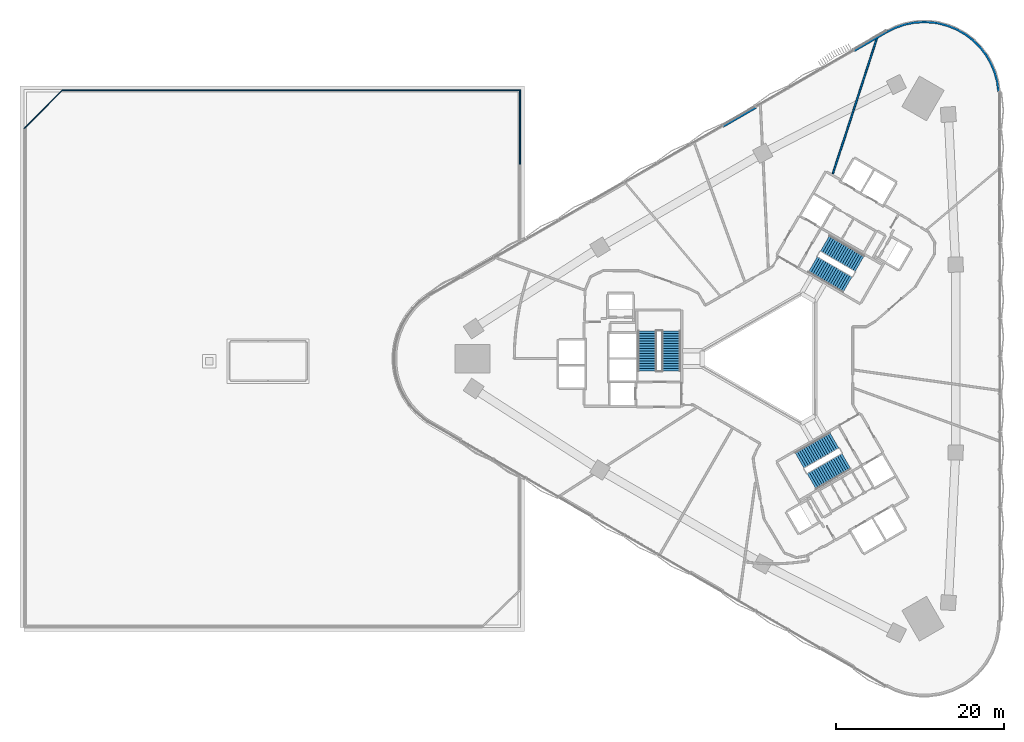
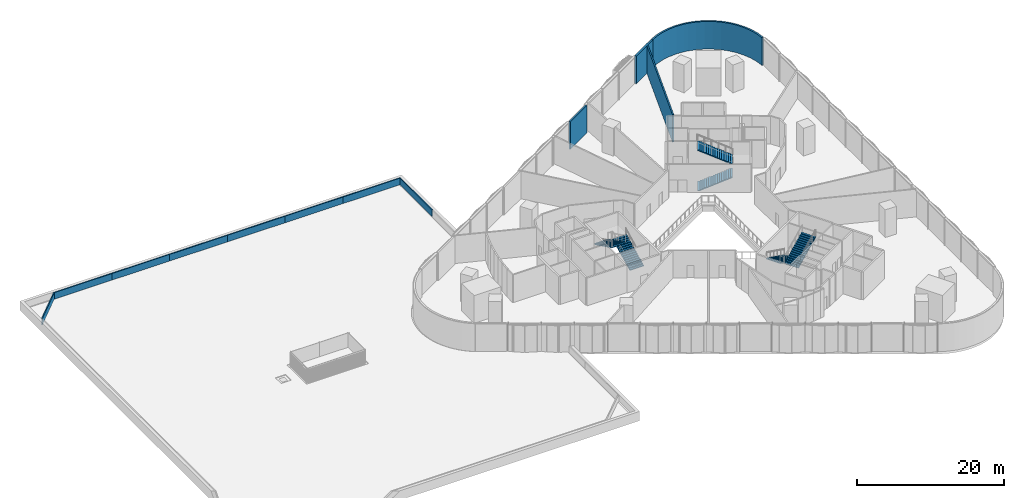
# One storey, part 11 of 14: 12 walls, 6 stair flights, 3 elements without a shape of their own.
"""IFC4 building model written with IfcOpenShell, lengths in metres."""

import ifcopenshell
import ifcopenshell.guid

model = None  # the IFC model being written
_history = None  # IfcOwnerHistory: only IFC2X3 demands one
_inside = {}  # id of a spatial element -> (the spatial element, [elements in it])
_under = {}  # id of a project, library or spatial element -> (it, [spatial elements below it])
_declared = {}  # id of a project -> (the project, [libraries it declares])
_typed = {}  # id of a type object -> (the type object, [elements of that type])
_made_of = {}  # id of a material, layer set ... -> (it, [elements and type objects made of it])


def new_model(schema):
    """Start an empty IFC model of exactly this schema.

    Asked for "IFC4X3", IfcOpenShell would pick the latest addendum, in which some entities
    have other attributes; the version numbers below select the first issue.
    IFC2X3 requires an IfcOwnerHistory on every rooted entity: one is made here for all.
    """
    global model, _history
    if schema == "IFC4X3":
        model = ifcopenshell.file(schema_version=(4, 3, 0, 0))
    else:
        model = ifcopenshell.file(schema=schema)
    _inside.clear()
    _under.clear()
    _declared.clear()
    _typed.clear()
    _made_of.clear()
    _history = None
    if model.schema == "IFC2X3":
        org = make("IfcOrganization", Name="unknown")
        user = make(
            "IfcPersonAndOrganization",
            ThePerson=make("IfcPerson", FamilyName="unknown"),
            TheOrganization=org,
        )
        app = make(
            "IfcApplication",
            ApplicationDeveloper=org,
            Version="unknown",
            ApplicationFullName="unknown",
            ApplicationIdentifier="unknown",
        )
        _history = make(
            "IfcOwnerHistory",
            OwningUser=user,
            OwningApplication=app,
            ChangeAction="ADDED",
            CreationDate=0,
        )
    return model


def make(cls, **values):
    """One entity of the class cls with the attributes given. An attribute that is None is left unset."""
    return model.create_entity(
        cls, **{name: value for name, value in values.items() if value is not None}
    )


def rooted(cls, **values):
    """An entity with a GlobalId (a new one), such as an element, a storey or a relation."""
    return make(cls, GlobalId=ifcopenshell.guid.new(), OwnerHistory=_history, **values)


def si_unit(unit_type, name, prefix=None):
    """IfcSIUnit, for example si_unit("LENGTHUNIT", "METRE", prefix="MILLI")."""
    return make("IfcSIUnit", UnitType=unit_type, Prefix=prefix, Name=name)


def assignment(units):
    """IfcUnitAssignment: the units of a project."""
    return None if units is None else make("IfcUnitAssignment", Units=units)


def point(xyz):
    """IfcCartesianPoint."""
    return None if xyz is None else make("IfcCartesianPoint", Coordinates=xyz)


def direction(xyz):
    """IfcDirection."""
    return None if xyz is None else make("IfcDirection", DirectionRatios=xyz)


def frame(location, z_axis=None, x_axis=None):
    """IfcAxis2Placement3D, a coordinate frame: its origin and axes. An axis left out is left unset."""
    return make(
        "IfcAxis2Placement3D",
        Location=point(location),
        Axis=direction(z_axis),
        RefDirection=direction(x_axis),
    )


def frame_2d(location, x_axis=None):
    """IfcAxis2Placement2D, a coordinate frame in the plane: its origin and x axis."""
    return make(
        "IfcAxis2Placement2D", Location=point(location), RefDirection=direction(x_axis)
    )


def origin():
    """The frame at (0, 0, 0) with its axes left unset."""
    return frame((0.0, 0.0, 0.0))


def place(relative_to, where):
    """IfcLocalPlacement: puts the frame where relative to a parent placement (None: the world)."""
    return make(
        "IfcLocalPlacement", PlacementRelTo=relative_to, RelativePlacement=where
    )


def context(
    kind, dimensions, precision=None, world=None, true_north=None, identifier=None
):
    """IfcGeometricRepresentationContext, for example the 3D "Model" context."""
    return make(
        "IfcGeometricRepresentationContext",
        ContextIdentifier=identifier,
        ContextType=kind,
        CoordinateSpaceDimension=dimensions,
        Precision=precision,
        WorldCoordinateSystem=world,
        TrueNorth=true_north,
    )


def subcontext(parent, identifier, kind, view, scale=None):
    """IfcGeometricRepresentationSubContext, for example "Body" below "Model"."""
    return make(
        "IfcGeometricRepresentationSubContext",
        ContextIdentifier=identifier,
        ContextType=kind,
        ParentContext=parent,
        TargetScale=scale,
        TargetView=view,
    )


def project(units=None, contexts=None):
    """IfcProject with its units and contexts."""
    return rooted(
        "IfcProject",
        Name="project",
        RepresentationContexts=contexts,
        UnitsInContext=assignment(units),
    )


def spatial(cls, under=None, at=None, **own):
    """A site, building, storey or space (cls), placed at a placement, below another one or the project."""
    s = rooted(cls, ObjectPlacement=at, **own)
    if under is not None:
        _under.setdefault(under.id(), (under, []))[1].append(s)
    return s


def polyline(points):
    """IfcPolyline through the points."""
    return make("IfcPolyline", Points=[point(p) for p in points])


def profile(cls, at=None, kind="AREA", **sizes):
    """A parametric profile (cls). Its sizes go by their IFC names, for example OverallWidth=200.0."""
    return make(cls, ProfileType=kind, Position=at, **sizes)


def rectangle(**sizes):
    """IfcRectangleProfileDef."""
    return profile("IfcRectangleProfileDef", **sizes)


def outline(outer, holes=None, kind="AREA"):
    """IfcArbitraryClosedProfileDef: a profile drawn as a closed curve; with holes, ...WithVoids."""
    if holes is None:
        return make("IfcArbitraryClosedProfileDef", ProfileType=kind, OuterCurve=outer)
    return make(
        "IfcArbitraryProfileDefWithVoids",
        ProfileType=kind,
        OuterCurve=outer,
        InnerCurves=holes,
    )


def extrude(swept, where, along, depth):
    """IfcExtrudedAreaSolid: the profile swept, set in the frame where, extruded along a direction by depth."""
    return make(
        "IfcExtrudedAreaSolid",
        SweptArea=swept,
        Position=where,
        ExtrudedDirection=direction(along),
        Depth=depth,
    )


def shape(context_of_items, identifier, shape_type, items):
    """IfcShapeRepresentation: the items that make up one representation, for example the "Body"."""
    return make(
        "IfcShapeRepresentation",
        ContextOfItems=context_of_items,
        RepresentationIdentifier=identifier,
        RepresentationType=shape_type,
        Items=items,
    )


def material(Name=None, Category=None):
    """IfcMaterial."""
    return make("IfcMaterial", Name=Name, Category=Category)


def layer(
    of_material, thickness, ventilated=None, Name=None, Category=None, Priority=None
):
    """IfcMaterialLayer: one layer of a wall or slab, of a material (None: an air gap)."""
    return make(
        "IfcMaterialLayer",
        Material=of_material,
        LayerThickness=thickness,
        IsVentilated=ventilated,
        Name=Name,
        Category=Category,
        Priority=Priority,
    )


def layer_set(layers, Name=None):
    """IfcMaterialLayerSet."""
    return make("IfcMaterialLayerSet", MaterialLayers=layers, LayerSetName=Name)


def made_of(thing, what):
    """Note that an element or type object is made of a material, layer set ...; save() writes the relation."""
    if what is not None:
        _made_of.setdefault(what.id(), (what, []))[1].append(thing)
    return thing


def type_object(cls, material=None, **own):
    """A type object (cls), such as IfcWallType, which elements share."""
    return made_of(rooted(cls, **own), material)


def element(
    cls,
    number,
    at=None,
    inside=None,
    cuts=None,
    type_object=None,
    material=None,
    context=None,
    identifier="Body",
    shape_type=None,
    held_by="IfcProductDefinitionShape",
    body=None,
    shapes=None,
    **own,
):
    """One element of the class cls, such as IfcWall. Its Tag is "e" and its number.

    at: its placement. inside: the storey or other place that contains it. cuts: it is an
    opening in that element (IfcRelVoidsElement). A single representation is given by context,
    identifier, shape_type and body (its items); several are given by shapes. held_by: the class
    of the entity that holds the representations. save() writes the other relations.
    """
    e = rooted(cls, Tag="e%d" % number, ObjectPlacement=at, **own)
    if body is not None:
        shapes = [shape(context, identifier, shape_type, body)]
    if shapes is not None:
        e.Representation = make(held_by, Representations=shapes)
    if inside is not None:
        _inside.setdefault(inside.id(), (inside, []))[1].append(e)
    if cuts is not None:
        rooted(
            "IfcRelVoidsElement", RelatingBuildingElement=cuts, RelatedOpeningElement=e
        )
    if type_object is not None:
        _typed.setdefault(type_object.id(), (type_object, []))[1].append(e)
    return made_of(e, material)


def aggregate(whole, parts):
    """IfcRelAggregates: a whole, such as a stair, and the parts it consists of."""
    return rooted("IfcRelAggregates", RelatingObject=whole, RelatedObjects=parts)


def save(model, path):
    """Write the relations noted so far, then the file.

    IfcRelAggregates (storeys below a building ...), IfcRelContainedInSpatialStructure (elements
    in a storey), IfcRelDefinesByType, IfcRelAssociatesMaterial and IfcRelDeclares: one each for
    every whole, place, type object, material and project.
    """
    for whole, parts in _under.values():
        aggregate(whole, parts)
    for where, things in _inside.values():
        rooted(
            "IfcRelContainedInSpatialStructure",
            RelatedElements=things,
            RelatingStructure=where,
        )
    for kind, things in _typed.values():
        rooted("IfcRelDefinesByType", RelatedObjects=things, RelatingType=kind)
    for what, things in _made_of.values():
        rooted("IfcRelAssociatesMaterial", RelatedObjects=things, RelatingMaterial=what)
    for by, libraries in _declared.values():
        rooted("IfcRelDeclares", RelatingContext=by, RelatedDefinitions=libraries)
    model.write(path)


model = new_model("IFC4")

# Units and contexts
model_context = context("Model", 3, precision=1e-05, world=origin(), true_north=direction((0.0, 1.0)))
body_context = subcontext(model_context, "Body", "Model", "MODEL_VIEW")
ifc_project = project(units=[si_unit("LENGTHUNIT", "METRE"), si_unit("AREAUNIT", "SQUARE_METRE"), si_unit("VOLUMEUNIT", "CUBIC_METRE"), si_unit("PLANEANGLEUNIT", "RADIAN"), si_unit("MASSUNIT", "GRAM", prefix="KILO")], contexts=[model_context])

# Site, building, storey
site_placement = place(None, origin())
site = spatial("IfcSite", under=ifc_project, at=site_placement, CompositionType="ELEMENT")
building_placement = place(site_placement, origin())
building = spatial("IfcBuilding", under=site, at=building_placement, Name="Tamra Quay Hotel Tower", CompositionType="ELEMENT")
storey_placement = place(building_placement, frame((0.0, 0.0, 24.5)))
storey = spatial("IfcBuildingStorey", under=building, at=storey_placement, Name="L04", CompositionType="ELEMENT", Elevation=24.5)

# Walls
ifc_material_1 = material(Name="Blockwork masonry plastered", Category="masonry")
ifc_layer_1 = layer(ifc_material_1, 0.25)
ifc_layer_set_1 = layer_set([ifc_layer_1], Name="EXTERNAL WALL 250")
wall_type_1 = type_object("IfcWallType", Name="EXTERNAL WALL 250", PredefinedType="SOLIDWALL", material=ifc_layer_set_1)
for number, where, z_axis, x_axis, name in (
    (1, (9.669677734375, 36.61376953125, 0.0), (0.0, 0.0, 1.0), (0.865880754896, 0.500250455572, 0.0), "EW1"),
    (2, (-5.90185546875, 27.6171875, 0.0), (0.0, 0.0, 1.0), (0.865857232313, 0.500291168473, 0.0), "EW1"),
):
    element("IfcWall", number, at=place(storey_placement, frame(where, z_axis=z_axis, x_axis=x_axis)), inside=storey, type_object=wall_type_1, Name=name, PredefinedType="SOLIDWALL", context=body_context, shape_type="SweptSolid", body=[
        extrude(rectangle(XDim=4.495849609375, YDim=0.25, at=frame_2d((2.248046875, 0.0))), origin(), (0.0, 0.0, 1.0), 4.60009765625),
    ])
wall_1_placement = place(storey_placement, origin())
element("IfcWall", 3, at=wall_1_placement, inside=storey, type_object=wall_type_1, Name="EW1", PredefinedType="SOLIDWALL", context=body_context, shape_type="SweptSolid", body=[
    extrude(outline(polyline([(26.980712890625, 31.765625), (26.8271484375, 32.9326171875), (26.5224609375, 34.06982421875), (26.07177734375, 35.157470703125), (25.483154296875, 36.177001953125), (24.7666015625, 37.111083984375), (23.93408203125, 37.943359375), (23.000244140625, 38.66015625), (21.980712890625, 39.248779296875), (20.89306640625, 39.69921875), (19.755859375, 40.00390625), (19.1748046875, 40.099853515625), (18.0, 40.177001953125), (16.8251953125, 40.099853515625), (15.670654296875, 39.870361328125), (14.555908203125, 39.491943359375), (13.5, 38.97119140625), (13.610595703125, 38.746826171875), (14.651611328125, 39.26025390625), (15.7353515625, 39.628173828125), (16.85791015625, 39.8515625), (18.0, 39.92626953125), (19.146240234375, 39.851318359375), (19.702880859375, 39.75927734375), (20.8125, 39.462158203125), (21.869873046875, 39.024169921875), (22.86083984375, 38.451904296875), (23.76904296875, 37.755126953125), (24.578125, 36.94580078125), (25.27490234375, 36.037841796875), (25.84716796875, 35.046630859375), (26.28515625, 33.9892578125), (26.581298828125, 32.8837890625), (26.73291015625, 31.73291015625), (26.980712890625, 31.765625)])), origin(), (0.0, 0.0, 1.0), 4.60009765625),
])
ifc_material_2 = material(Name="Reinforced concrete M60 with render", Category="concrete")
ifc_layer_2 = layer(ifc_material_2, 0.14990234375)
ifc_layer_set_2 = layer_set([ifc_layer_2], Name="PARAPET WALL 150")
wall_type_2 = type_object("IfcWallType", Name="PARAPET WALL 150", PredefinedType="PARAPET", material=ifc_layer_set_2)
wall_2_placement = place(storey_placement, frame((-30.074951171875, 32.0, 0.0), z_axis=(0.0, 0.0, 1.0), x_axis=(0.0, -1.0, 0.0)))
element("IfcWall", 4, at=wall_2_placement, inside=storey, type_object=wall_type_2, Name="PW0", PredefinedType="PARAPET", context=body_context, shape_type="SweptSolid", body=[
    extrude(rectangle(XDim=8.898681640625, YDim=0.14990234375, at=frame_2d((4.44921875, 0.0))), origin(), (0.0, 0.0, 1.0), 1.10009765625),
])
for number, where, z_axis, x_axis, name in (
    (5, (-39.09228515625, 31.925048828125, 0.0), (0.0, 0.0, 1.0), (1.0, 0.0, 0.0), "PW0"),
    (6, (-48.1845703125, 31.925048828125, 0.0), (0.0, 0.0, 1.0), (1.0, 0.0, 0.0), "PW0"),
    (7, (-57.27685546875, 31.925048828125, 0.0), (0.0, 0.0, 1.0), (1.0, 0.0, 0.0), "PW0"),
    (8, (-66.369140625, 31.925048828125, 0.0), (0.0, 0.0, 1.0), (1.0, 0.0, 0.0), "PW0"),
    (9, (-75.46142578125, 31.925048828125, 0.0), (0.0, 0.0, 1.0), (1.0, 0.0, 0.0), "PW0"),
):
    element("IfcWall", number, at=place(storey_placement, frame(where, z_axis=z_axis, x_axis=x_axis)), inside=storey, type_object=wall_type_2, Name=name, PredefinedType="PARAPET", context=body_context, shape_type="SweptSolid", body=[
        extrude(rectangle(XDim=9.09228515625, YDim=0.14990234375, at=frame_2d((4.546142578125, 0.0))), origin(), (0.0, 0.0, 1.0), 1.10009765625),
    ])
wall_3_placement = place(storey_placement, frame((-84.553955078125, 31.925048828125, 0.0), z_axis=(0.0, 0.0, 1.0), x_axis=(1.0, 0.0, 0.0)))
element("IfcWall", 10, at=wall_3_placement, inside=storey, type_object=wall_type_2, Name="PW0", PredefinedType="PARAPET", context=body_context, shape_type="SweptSolid", body=[
    extrude(rectangle(XDim=9.092529296875, YDim=0.14990234375, at=frame_2d((4.54638671875, 0.0))), origin(), (0.0, 0.0, 1.0), 1.10009765625),
])
wall_4_placement = place(storey_placement, frame((-89.046875, 27.375732421875, 0.0), z_axis=(0.0, 0.0, 1.0), x_axis=(0.705153851514, 0.709054331977, 0.0)))
element("IfcWall", 11, at=wall_4_placement, inside=storey, type_object=wall_type_2, Name="PW0", PredefinedType="PARAPET", context=body_context, shape_type="SweptSolid", body=[
    extrude(rectangle(XDim=6.447021484375, YDim=0.14990234375, at=frame_2d((3.2236328125, 0.0))), origin(), (0.0, 0.0, 1.0), 1.10009765625),
])
ifc_material_3 = material(Name="Partition party wall")
ifc_layer_3 = layer(ifc_material_3, 0.199951171875)
ifc_layer_set_3 = layer_set([ifc_layer_3], Name="Partition party wall")
wall_type_3 = type_object("IfcWallType", Name="Partition party wall", PredefinedType="PARTITIONING", material=ifc_layer_set_3)
wall_5_placement = place(storey_placement, frame((7.14697265625, 21.99560546875, 0.0), z_axis=(0.0, 0.0, 1.0), x_axis=(0.309008482175, 0.951059282035, 0.0)))
element("IfcWall", 12, at=wall_5_placement, inside=storey, type_object=wall_type_3, Name="W-P", PredefinedType="PARTITIONING", context=body_context, shape_type="SweptSolid", body=[
    extrude(rectangle(XDim=17.21826171875, YDim=0.199951171875, at=frame_2d((8.609130859375, 0.0))), origin(), (0.0, 0.0, 1.0), 4.60009765625),
])

# Stair, stair flights
ifc_material_4 = material(Name="Exit stair 2200 34 risers 147.1 going 299")
stair_type = type_object("IfcStairType", Name="Exit stair 2200 34 risers 147.1 going 299", PredefinedType="HALF_TURN_STAIR", material=ifc_material_4)
stair_1_placement = place(storey_placement, origin())
stair_1 = element("IfcStair", 13, at=stair_1_placement, inside=storey, type_object=stair_type, Name="L04 Exit stair ST3", PredefinedType="HALF_TURN_STAIR")
ifc_material_5 = material(Name="Exit stair flight 2200 17 risers 147.1")
stair_flight_type = type_object("IfcStairFlightType", Name="Exit stair flight 2200 17 risers 147.1", PredefinedType="STRAIGHT", material=ifc_material_5)
stair_flight_1_placement = place(storey_placement, frame((-12.082275390625, -1.47998046875, 0.0), z_axis=(0.0, 0.0, 1.0), x_axis=(0.0, 1.0, 0.0)))
stair_flight_1 = element("IfcStairFlight", 14, at=stair_flight_1_placement, type_object=stair_flight_type, Name="ST3 flight 1", NumberOfRisers=17, NumberOfTreads=16, PredefinedType="STRAIGHT", RiserHeight=0.147058824, TreadLength=0.299, context=body_context, shape_type="SweptSolid", body=[
    extrude(outline(polyline([(0.0, 0.0), (0.0, 0.14697265625), (0.299072265625, 0.14697265625), (0.299072265625, 0.294189453125), (0.597900390625, 0.294189453125), (0.597900390625, 0.441162109375), (0.89697265625, 0.441162109375), (0.89697265625, 0.588134765625), (1.196044921875, 0.588134765625), (1.196044921875, 0.7353515625), (1.4951171875, 0.7353515625), (1.4951171875, 0.88232421875), (1.7939453125, 0.88232421875), (1.7939453125, 1.029296875), (2.093017578125, 1.029296875), (2.093017578125, 1.176513671875), (2.39208984375, 1.176513671875), (2.39208984375, 1.323486328125), (2.69091796875, 1.323486328125), (2.69091796875, 1.470703125), (2.989990234375, 1.470703125), (2.989990234375, 1.61767578125), (3.2890625, 1.61767578125), (3.2890625, 1.7646484375), (3.587890625, 1.7646484375), (3.587890625, 1.911865234375), (3.886962890625, 1.911865234375), (3.886962890625, 2.058837890625), (4.18603515625, 2.058837890625), (4.18603515625, 2.205810546875), (4.485107421875, 2.205810546875), (4.485107421875, 2.35302734375), (4.783935546875, 2.35302734375), (4.783935546875, 2.5), (4.783935546875, 2.241455078125), (0.226806640625, 0.0), (0.0, 0.0)])), frame((0.0, 1.10009765625, 0.0), z_axis=(0.0, -1.0, 0.0), x_axis=(1.0, 0.0, 0.0)), (0.0, 0.0, 1.0), 2.199951171875),
])
stair_flight_2_placement = place(storey_placement, frame((-14.94140625, 3.303955078125, 2.5), z_axis=(0.0, 0.0, 1.0), x_axis=(0.0, -1.0, 0.0)))
stair_flight_2 = element("IfcStairFlight", 15, at=stair_flight_2_placement, type_object=stair_flight_type, Name="ST3 flight 2", NumberOfRisers=17, NumberOfTreads=16, PredefinedType="STRAIGHT", RiserHeight=0.147058824, TreadLength=0.299, context=body_context, shape_type="SweptSolid", body=[
    extrude(outline(polyline([(0.0, 0.0), (0.0, 0.14697265625), (0.299072265625, 0.14697265625), (0.299072265625, 0.294189453125), (0.597900390625, 0.294189453125), (0.597900390625, 0.441162109375), (0.89697265625, 0.441162109375), (0.89697265625, 0.588134765625), (1.196044921875, 0.588134765625), (1.196044921875, 0.7353515625), (1.4951171875, 0.7353515625), (1.4951171875, 0.88232421875), (1.7939453125, 0.88232421875), (1.7939453125, 1.029296875), (2.093017578125, 1.029296875), (2.093017578125, 1.176513671875), (2.39208984375, 1.176513671875), (2.39208984375, 1.323486328125), (2.69091796875, 1.323486328125), (2.69091796875, 1.470703125), (2.989990234375, 1.470703125), (2.989990234375, 1.61767578125), (3.2890625, 1.61767578125), (3.2890625, 1.7646484375), (3.587890625, 1.7646484375), (3.587890625, 1.911865234375), (3.886962890625, 1.911865234375), (3.886962890625, 2.058837890625), (4.18603515625, 2.058837890625), (4.18603515625, 2.205810546875), (4.485107421875, 2.205810546875), (4.485107421875, 2.35302734375), (4.783935546875, 2.35302734375), (4.783935546875, 2.5), (4.783935546875, 2.241455078125), (0.226806640625, 0.0), (0.0, 0.0)])), frame((0.0, 1.10009765625, 0.0), z_axis=(0.0, -1.0, 0.0), x_axis=(1.0, 0.0, 0.0)), (0.0, 0.0, 1.0), 2.199951171875),
])
aggregate(stair_1, [stair_flight_1, stair_flight_2])

stair_2_placement = place(storey_placement, origin())
stair_2 = element("IfcStair", 16, at=stair_2_placement, inside=storey, type_object=stair_type, Name="L04 Exit stair ST1", PredefinedType="HALF_TURN_STAIR")
stair_flight_3_placement = place(storey_placement, frame((4.75927734375, 11.20361328125, 0.0), z_axis=(0.0, 0.0, 1.0), x_axis=(0.866025403784, -0.5, 0.0)))
stair_flight_3 = element("IfcStairFlight", 17, at=stair_flight_3_placement, type_object=stair_flight_type, Name="ST1 flight 1", NumberOfRisers=17, NumberOfTreads=16, PredefinedType="STRAIGHT", RiserHeight=0.147058824, TreadLength=0.299, context=body_context, shape_type="SweptSolid", body=[
    extrude(outline(polyline([(0.0, 0.0), (0.0, 0.14697265625), (0.299072265625, 0.14697265625), (0.299072265625, 0.294189453125), (0.597900390625, 0.294189453125), (0.597900390625, 0.441162109375), (0.89697265625, 0.441162109375), (0.89697265625, 0.588134765625), (1.196044921875, 0.588134765625), (1.196044921875, 0.7353515625), (1.4951171875, 0.7353515625), (1.4951171875, 0.88232421875), (1.7939453125, 0.88232421875), (1.7939453125, 1.029296875), (2.093017578125, 1.029296875), (2.093017578125, 1.176513671875), (2.39208984375, 1.176513671875), (2.39208984375, 1.323486328125), (2.69091796875, 1.323486328125), (2.69091796875, 1.470703125), (2.989990234375, 1.470703125), (2.989990234375, 1.61767578125), (3.2890625, 1.61767578125), (3.2890625, 1.7646484375), (3.587890625, 1.7646484375), (3.587890625, 1.911865234375), (3.886962890625, 1.911865234375), (3.886962890625, 2.058837890625), (4.18603515625, 2.058837890625), (4.18603515625, 2.205810546875), (4.485107421875, 2.205810546875), (4.485107421875, 2.35302734375), (4.783935546875, 2.35302734375), (4.783935546875, 2.5), (4.783935546875, 2.241455078125), (0.226806640625, 0.0), (0.0, 0.0)])), frame((0.0, 1.10009765625, 0.0), z_axis=(0.0, -1.0, 0.0), x_axis=(1.0, 0.0, 0.0)), (0.0, 0.0, 1.0), 2.199951171875),
])
stair_flight_4_placement = place(storey_placement, frame((10.331787109375, 11.28759765625, 2.5), z_axis=(0.0, 0.0, 1.0), x_axis=(-0.866025403784, 0.5, 0.0)))
stair_flight_4 = element("IfcStairFlight", 18, at=stair_flight_4_placement, type_object=stair_flight_type, Name="ST1 flight 2", NumberOfRisers=17, NumberOfTreads=16, PredefinedType="STRAIGHT", RiserHeight=0.147058824, TreadLength=0.299, context=body_context, shape_type="SweptSolid", body=[
    extrude(outline(polyline([(0.0, 0.0), (0.0, 0.14697265625), (0.299072265625, 0.14697265625), (0.299072265625, 0.294189453125), (0.597900390625, 0.294189453125), (0.597900390625, 0.441162109375), (0.89697265625, 0.441162109375), (0.89697265625, 0.588134765625), (1.196044921875, 0.588134765625), (1.196044921875, 0.7353515625), (1.4951171875, 0.7353515625), (1.4951171875, 0.88232421875), (1.7939453125, 0.88232421875), (1.7939453125, 1.029296875), (2.093017578125, 1.029296875), (2.093017578125, 1.176513671875), (2.39208984375, 1.176513671875), (2.39208984375, 1.323486328125), (2.69091796875, 1.323486328125), (2.69091796875, 1.470703125), (2.989990234375, 1.470703125), (2.989990234375, 1.61767578125), (3.2890625, 1.61767578125), (3.2890625, 1.7646484375), (3.587890625, 1.7646484375), (3.587890625, 1.911865234375), (3.886962890625, 1.911865234375), (3.886962890625, 2.058837890625), (4.18603515625, 2.058837890625), (4.18603515625, 2.205810546875), (4.485107421875, 2.205810546875), (4.485107421875, 2.35302734375), (4.783935546875, 2.35302734375), (4.783935546875, 2.5), (4.783935546875, 2.241455078125), (0.226806640625, 0.0), (0.0, 0.0)])), frame((0.0, 1.10009765625, 0.0), z_axis=(0.0, -1.0, 0.0), x_axis=(1.0, 0.0, 0.0)), (0.0, 0.0, 1.0), 2.199951171875),
])
aggregate(stair_2, [stair_flight_3, stair_flight_4])

stair_3_placement = place(storey_placement, origin())
stair_3 = element("IfcStair", 19, at=stair_3_placement, inside=storey, type_object=stair_type, Name="L04 Exit stair ST2", PredefinedType="HALF_TURN_STAIR")
stair_flight_5_placement = place(storey_placement, frame((7.322998046875, -9.7236328125, 0.0), z_axis=(0.0, 0.0, 1.0), x_axis=(-0.866025403784, -0.5, 0.0)))
stair_flight_5 = element("IfcStairFlight", 20, at=stair_flight_5_placement, type_object=stair_flight_type, Name="ST2 flight 1", NumberOfRisers=17, NumberOfTreads=16, PredefinedType="STRAIGHT", RiserHeight=0.147058824, TreadLength=0.299, context=body_context, shape_type="SweptSolid", body=[
    extrude(outline(polyline([(0.0, 0.0), (0.0, 0.14697265625), (0.299072265625, 0.14697265625), (0.299072265625, 0.294189453125), (0.597900390625, 0.294189453125), (0.597900390625, 0.441162109375), (0.89697265625, 0.441162109375), (0.89697265625, 0.588134765625), (1.196044921875, 0.588134765625), (1.196044921875, 0.7353515625), (1.4951171875, 0.7353515625), (1.4951171875, 0.88232421875), (1.7939453125, 0.88232421875), (1.7939453125, 1.029296875), (2.093017578125, 1.029296875), (2.093017578125, 1.176513671875), (2.39208984375, 1.176513671875), (2.39208984375, 1.323486328125), (2.69091796875, 1.323486328125), (2.69091796875, 1.470703125), (2.989990234375, 1.470703125), (2.989990234375, 1.61767578125), (3.2890625, 1.61767578125), (3.2890625, 1.7646484375), (3.587890625, 1.7646484375), (3.587890625, 1.911865234375), (3.886962890625, 1.911865234375), (3.886962890625, 2.058837890625), (4.18603515625, 2.058837890625), (4.18603515625, 2.205810546875), (4.485107421875, 2.205810546875), (4.485107421875, 2.35302734375), (4.783935546875, 2.35302734375), (4.783935546875, 2.5), (4.783935546875, 2.241455078125), (0.226806640625, 0.0), (0.0, 0.0)])), frame((0.0, 1.10009765625, 0.0), z_axis=(0.0, -1.0, 0.0), x_axis=(1.0, 0.0, 0.0)), (0.0, 0.0, 1.0), 2.199951171875),
])
stair_flight_6_placement = place(storey_placement, frame((4.609375, -14.591552734375, 2.5), z_axis=(0.0, 0.0, 1.0), x_axis=(0.866025403784, 0.5, 0.0)))
stair_flight_6 = element("IfcStairFlight", 21, at=stair_flight_6_placement, type_object=stair_flight_type, Name="ST2 flight 2", NumberOfRisers=17, NumberOfTreads=16, PredefinedType="STRAIGHT", RiserHeight=0.147058824, TreadLength=0.299, context=body_context, shape_type="SweptSolid", body=[
    extrude(outline(polyline([(0.0, 0.0), (0.0, 0.14697265625), (0.299072265625, 0.14697265625), (0.299072265625, 0.294189453125), (0.597900390625, 0.294189453125), (0.597900390625, 0.441162109375), (0.89697265625, 0.441162109375), (0.89697265625, 0.588134765625), (1.196044921875, 0.588134765625), (1.196044921875, 0.7353515625), (1.4951171875, 0.7353515625), (1.4951171875, 0.88232421875), (1.7939453125, 0.88232421875), (1.7939453125, 1.029296875), (2.093017578125, 1.029296875), (2.093017578125, 1.176513671875), (2.39208984375, 1.176513671875), (2.39208984375, 1.323486328125), (2.69091796875, 1.323486328125), (2.69091796875, 1.470703125), (2.989990234375, 1.470703125), (2.989990234375, 1.61767578125), (3.2890625, 1.61767578125), (3.2890625, 1.7646484375), (3.587890625, 1.7646484375), (3.587890625, 1.911865234375), (3.886962890625, 1.911865234375), (3.886962890625, 2.058837890625), (4.18603515625, 2.058837890625), (4.18603515625, 2.205810546875), (4.485107421875, 2.205810546875), (4.485107421875, 2.35302734375), (4.783935546875, 2.35302734375), (4.783935546875, 2.5), (4.783935546875, 2.241455078125), (0.226806640625, 0.0), (0.0, 0.0)])), frame((0.0, 1.10009765625, 0.0), z_axis=(0.0, -1.0, 0.0), x_axis=(1.0, 0.0, 0.0)), (0.0, 0.0, 1.0), 2.199951171875),
])
aggregate(stair_3, [stair_flight_5, stair_flight_6])

save(model, "model.ifc")
